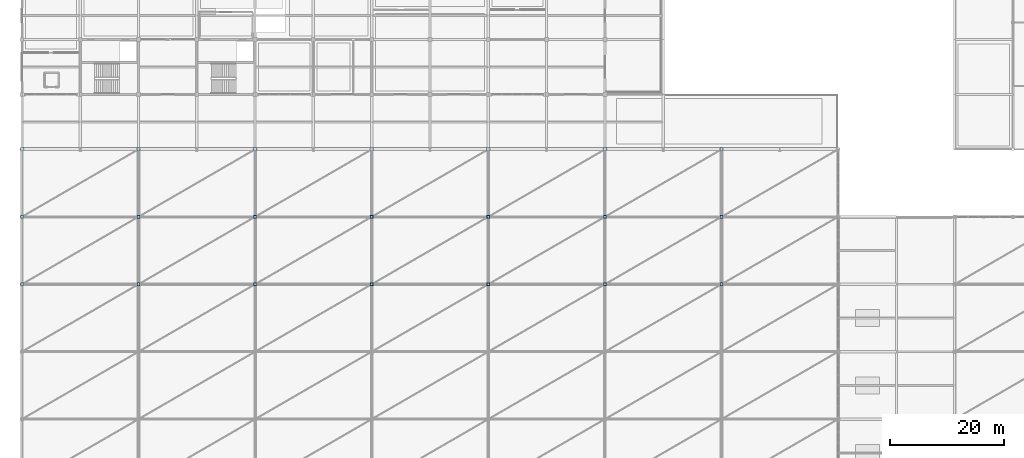
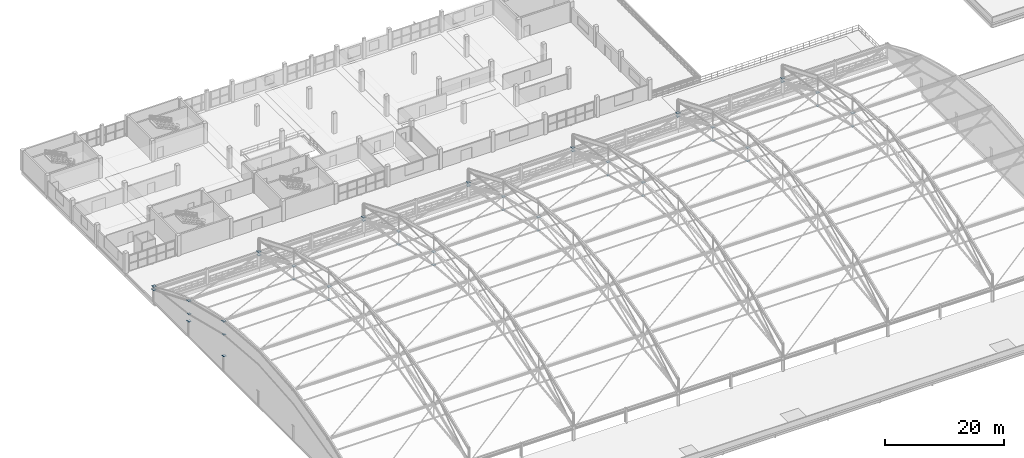
# One storey, part 118 of 135: 44 plates.
"""IFC4 building model written with IfcOpenShell, lengths in metres."""

from ifc_helpers import new_model, si_unit, direction, frame, origin, origin_2d, place, context, subcontext, project, spatial, rectangle, extrude, material, layer, layer_set, type_object, element, save


model = new_model("IFC4")

# Units and contexts
model_context = context("Model", 3, precision=1e-05, world=origin(), true_north=direction((0.0, 1.0)))
body_context = subcontext(model_context, "Body", "Model", "MODEL_VIEW")
ifc_project = project(units=[si_unit("LENGTHUNIT", "METRE"), si_unit("AREAUNIT", "SQUARE_METRE"), si_unit("VOLUMEUNIT", "CUBIC_METRE"), si_unit("PLANEANGLEUNIT", "RADIAN"), si_unit("MASSUNIT", "GRAM", prefix="KILO")], contexts=[model_context])

# Site, building, storey
site_placement = place(None, origin())
site = spatial("IfcSite", under=ifc_project, at=site_placement, CompositionType="ELEMENT")
building_placement = place(site_placement, origin())
building = spatial("IfcBuilding", under=site, at=building_placement, Name="Brelvane Convention Centre", CompositionType="ELEMENT")
storey_placement = place(building_placement, frame((0.0, 0.0, 15.0)))
storey = spatial("IfcBuildingStorey", under=building, at=storey_placement, Name="L03", CompositionType="ELEMENT", Elevation=15.0)

# Plates
ifc_material_1 = material(Name="Steel E450 (450 MPa)", Category="steel")
ifc_layer_1 = layer(ifc_material_1, 0.031982421875)
ifc_layer_set_1 = layer_set([ifc_layer_1], Name="Steel E450 (450 MPa)")
plate_type_1 = type_object("IfcPlateType", Name="Steel Node Gusset Plate ND-1", PredefinedType="SHEET", material=ifc_layer_set_1)
for number, where, z_axis, x_axis, name in (
    (1, (0.0, 76.0, 2.98388671875), (0.0, 0.0, 1.0), (1.0, 0.0, 0.0), "Column Head Node Plate 1-H"),
    (2, (0.0, 87.800048828125, 2.98388671875), (0.0, 0.0, 1.0), (1.0, 0.0, 0.0), "Column Head Node Plate 1-J"),
    (3, (0.0, 99.60009765625, 2.98388671875), (0.0, 0.0, 1.0), (1.0, 0.0, 0.0), "Column Head Node Plate 1-K"),
    (4, (20.39990234375, 99.60009765625, 2.98388671875), (0.0, 0.0, 1.0), (1.0, 0.0, 0.0), "Column Head Node Plate 3-K"),
    (5, (40.800048828125, 99.60009765625, 2.98388671875), (0.0, 0.0, 1.0), (1.0, 0.0, 0.0), "Column Head Node Plate 5-K"),
    (6, (61.199951171875, 99.60009765625, 2.98388671875), (0.0, 0.0, 1.0), (1.0, 0.0, 0.0), "Column Head Node Plate 7-K"),
    (7, (81.60009765625, 99.60009765625, 2.98388671875), (0.0, 0.0, 1.0), (1.0, 0.0, 0.0), "Column Head Node Plate 9-K"),
    (8, (102.0, 99.60009765625, 2.98388671875), (0.0, 0.0, 1.0), (1.0, 0.0, 0.0), "Column Head Node Plate 11-K"),
    (9, (122.39990234375, 99.60009765625, 2.98388671875), (0.0, 0.0, 1.0), (1.0, 0.0, 0.0), "Column Head Node Plate 13-K"),
    (10, (0.0, 76.0, 10.14599609375), (0.0, 0.0, 1.0), (1.0, 0.0, 0.0), "SF_EXH Top Node Plate 1.4"),
    (11, (0.0, 87.800048828125, 7.212890625), (0.0, 0.0, 1.0), (1.0, 0.0, 0.0), "SF_EXH Top Node Plate 1.5"),
    (12, (0.0, 99.60009765625, 2.32421875), (0.0, 0.0, 1.0), (1.0, 0.0, 0.0), "SF_EXH Eaves Node Plate 1-N"),
    (13, (20.39990234375, 76.0, 10.14599609375), (0.0, 0.0, 1.0), (1.0, 0.0, 0.0), "SF_EXH Top Node Plate 2.4"),
    (14, (20.39990234375, 87.800048828125, 7.212890625), (0.0, 0.0, 1.0), (1.0, 0.0, 0.0), "SF_EXH Top Node Plate 2.5"),
    (15, (20.39990234375, 99.60009765625, 2.32421875), (0.0, 0.0, 1.0), (1.0, 0.0, 0.0), "SF_EXH Eaves Node Plate 2-N"),
    (16, (40.800048828125, 76.0, 10.14599609375), (0.0, 0.0, 1.0), (1.0, 0.0, 0.0), "SF_EXH Top Node Plate 3.4"),
    (17, (40.800048828125, 87.800048828125, 7.212890625), (0.0, 0.0, 1.0), (1.0, 0.0, 0.0), "SF_EXH Top Node Plate 3.5"),
    (18, (40.800048828125, 99.60009765625, 2.32421875), (0.0, 0.0, 1.0), (1.0, 0.0, 0.0), "SF_EXH Eaves Node Plate 3-N"),
    (19, (61.199951171875, 76.0, 10.14599609375), (0.0, 0.0, 1.0), (1.0, 0.0, 0.0), "SF_EXH Top Node Plate 4.4"),
    (20, (61.199951171875, 87.800048828125, 7.212890625), (0.0, 0.0, 1.0), (1.0, 0.0, 0.0), "SF_EXH Top Node Plate 4.5"),
    (21, (61.199951171875, 99.60009765625, 2.32421875), (0.0, 0.0, 1.0), (1.0, 0.0, 0.0), "SF_EXH Eaves Node Plate 4-N"),
    (22, (81.60009765625, 76.0, 10.14599609375), (0.0, 0.0, 1.0), (1.0, 0.0, 0.0), "SF_EXH Top Node Plate 5.4"),
    (23, (81.60009765625, 87.800048828125, 7.212890625), (0.0, 0.0, 1.0), (1.0, 0.0, 0.0), "SF_EXH Top Node Plate 5.5"),
    (24, (81.60009765625, 99.60009765625, 2.32421875), (0.0, 0.0, 1.0), (1.0, 0.0, 0.0), "SF_EXH Eaves Node Plate 5-N"),
    (25, (102.0, 76.0, 10.14599609375), (0.0, 0.0, 1.0), (1.0, 0.0, 0.0), "SF_EXH Top Node Plate 6.4"),
    (26, (102.0, 87.800048828125, 7.212890625), (0.0, 0.0, 1.0), (1.0, 0.0, 0.0), "SF_EXH Top Node Plate 6.5"),
    (27, (102.0, 99.60009765625, 2.32421875), (0.0, 0.0, 1.0), (1.0, 0.0, 0.0), "SF_EXH Eaves Node Plate 6-N"),
    (28, (122.39990234375, 76.0, 10.14599609375), (0.0, 0.0, 1.0), (1.0, 0.0, 0.0), "SF_EXH Top Node Plate 7.4"),
    (29, (122.39990234375, 87.800048828125, 7.212890625), (0.0, 0.0, 1.0), (1.0, 0.0, 0.0), "SF_EXH Top Node Plate 7.5"),
    (30, (122.39990234375, 99.60009765625, 2.32421875), (0.0, 0.0, 1.0), (1.0, 0.0, 0.0), "SF_EXH Eaves Node Plate 7-N"),
):
    element("IfcPlate", number, at=place(storey_placement, frame(where, z_axis=z_axis, x_axis=x_axis)), inside=storey, type_object=plate_type_1, Name=name, PredefinedType="SHEET", context=body_context, shape_type="SweptSolid", body=[
        extrude(rectangle(XDim=0.56005859375, YDim=0.56005859375, at=origin_2d()), origin(), (0.0, 0.0, 1.0), 0.031982421875),
    ])
ifc_material_2 = material(Name="Steel E450 (450 MPa)", Category="steel")
ifc_layer_2 = layer(ifc_material_2, 0.028076171875)
ifc_layer_set_2 = layer_set([ifc_layer_2], Name="Steel E450 (450 MPa)")
plate_type_2 = type_object("IfcPlateType", Name="Steel Node Gusset Plate ND-2", PredefinedType="SHEET", material=ifc_layer_set_2)
for number, where, z_axis, x_axis, name in (
    (31, (0.0, 76.0, 7.408203125), (0.0, 0.0, 1.0), (1.0, 0.0, 0.0), "SF_EXH Bottom Node Plate 1.4"),
    (32, (0.0, 87.800048828125, 4.47509765625), (0.0, 0.0, 1.0), (1.0, 0.0, 0.0), "SF_EXH Bottom Node Plate 1.5"),
    (33, (20.39990234375, 76.0, 7.408203125), (0.0, 0.0, 1.0), (1.0, 0.0, 0.0), "SF_EXH Bottom Node Plate 2.4"),
    (34, (20.39990234375, 87.800048828125, 4.47509765625), (0.0, 0.0, 1.0), (1.0, 0.0, 0.0), "SF_EXH Bottom Node Plate 2.5"),
    (35, (40.800048828125, 76.0, 7.408203125), (0.0, 0.0, 1.0), (1.0, 0.0, 0.0), "SF_EXH Bottom Node Plate 3.4"),
    (36, (40.800048828125, 87.800048828125, 4.47509765625), (0.0, 0.0, 1.0), (1.0, 0.0, 0.0), "SF_EXH Bottom Node Plate 3.5"),
    (37, (61.199951171875, 76.0, 7.408203125), (0.0, 0.0, 1.0), (1.0, 0.0, 0.0), "SF_EXH Bottom Node Plate 4.4"),
    (38, (61.199951171875, 87.800048828125, 4.47509765625), (0.0, 0.0, 1.0), (1.0, 0.0, 0.0), "SF_EXH Bottom Node Plate 4.5"),
    (39, (81.60009765625, 76.0, 7.408203125), (0.0, 0.0, 1.0), (1.0, 0.0, 0.0), "SF_EXH Bottom Node Plate 5.4"),
    (40, (81.60009765625, 87.800048828125, 4.47509765625), (0.0, 0.0, 1.0), (1.0, 0.0, 0.0), "SF_EXH Bottom Node Plate 5.5"),
    (41, (102.0, 76.0, 7.408203125), (0.0, 0.0, 1.0), (1.0, 0.0, 0.0), "SF_EXH Bottom Node Plate 6.4"),
    (42, (102.0, 87.800048828125, 4.47509765625), (0.0, 0.0, 1.0), (1.0, 0.0, 0.0), "SF_EXH Bottom Node Plate 6.5"),
    (43, (122.39990234375, 76.0, 7.408203125), (0.0, 0.0, 1.0), (1.0, 0.0, 0.0), "SF_EXH Bottom Node Plate 7.4"),
    (44, (122.39990234375, 87.800048828125, 4.47509765625), (0.0, 0.0, 1.0), (1.0, 0.0, 0.0), "SF_EXH Bottom Node Plate 7.5"),
):
    element("IfcPlate", number, at=place(storey_placement, frame(where, z_axis=z_axis, x_axis=x_axis)), inside=storey, type_object=plate_type_2, Name=name, PredefinedType="SHEET", context=body_context, shape_type="SweptSolid", body=[
        extrude(rectangle(XDim=0.4599609375, YDim=0.4599609375, at=origin_2d()), origin(), (0.0, 0.0, 1.0), 0.028076171875),
    ])

save(model, "model.ifc")
